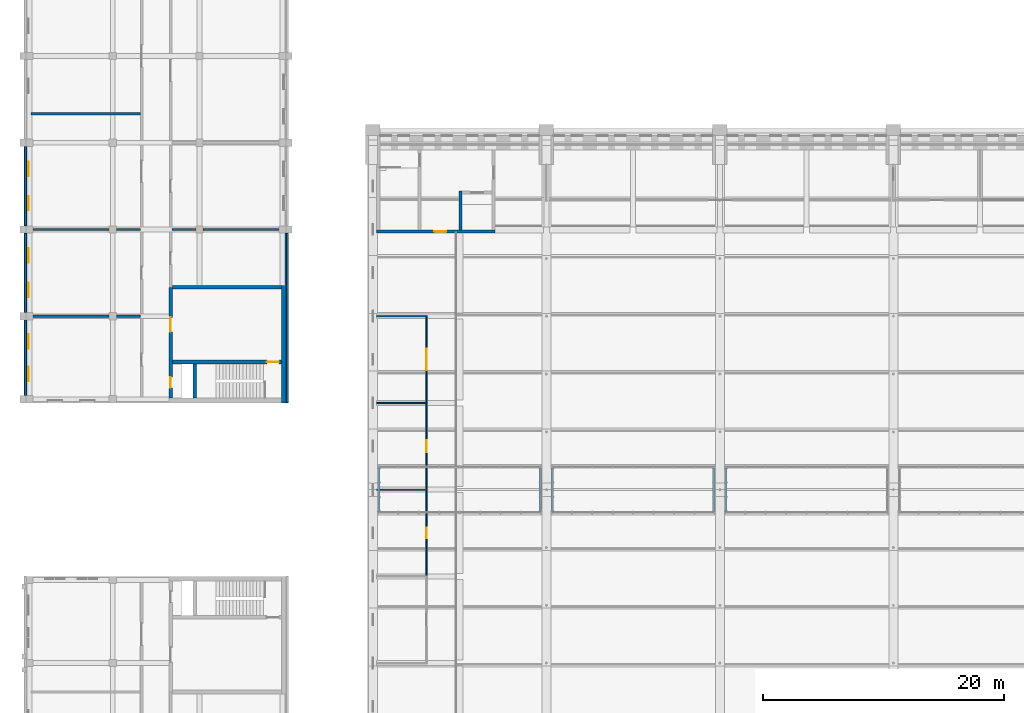
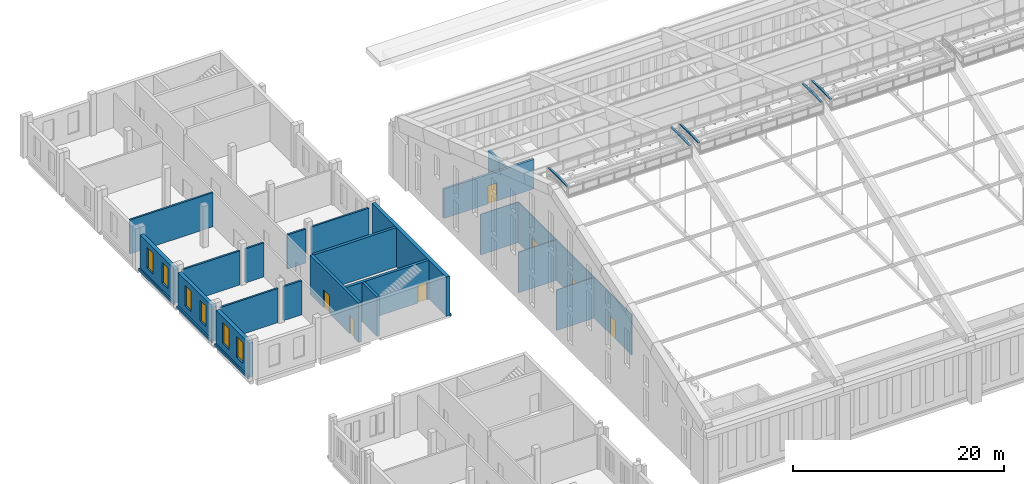
# One storey, part 129 of 149: 32 walls, 7 doors, 6 windows, 13 openings, 5 elements without a shape of their own.
"""IFC4 building model written with IfcOpenShell, lengths in metres."""

from ifc_helpers import new_model, si_unit, direction, frame, frame_2d, origin, place, context, subcontext, project, spatial, polyline, rectangle, outline, extrude, material, layer, layer_set, type_object, element, fill, aggregate, save


model = new_model("IFC4")

# Units and contexts
model_context = context("Model", 3, precision=1e-05, world=origin(), true_north=direction((0.0, 1.0)))
body_context = subcontext(model_context, "Body", "Model", "MODEL_VIEW")
ifc_project = project(units=[si_unit("LENGTHUNIT", "METRE"), si_unit("AREAUNIT", "SQUARE_METRE"), si_unit("VOLUMEUNIT", "CUBIC_METRE"), si_unit("PLANEANGLEUNIT", "RADIAN"), si_unit("MASSUNIT", "GRAM", prefix="KILO")], contexts=[model_context])

# Site, building, storey
site_placement = place(None, origin())
site = spatial("IfcSite", under=ifc_project, at=site_placement, CompositionType="ELEMENT")
building_placement = place(site_placement, origin())
building = spatial("IfcBuilding", under=site, at=building_placement, Name="Alderwick Market Hall", CompositionType="ELEMENT")
storey_placement = place(building_placement, frame((0.0, 0.0, 9.60009765625)))
storey = spatial("IfcBuildingStorey", under=building, at=storey_placement, Name="L01", CompositionType="ELEMENT", Elevation=9.60009765625)

# Wall, openings, windows
ifc_material_1 = material(Name="Face brick", Category="masonry")
ifc_layer_1 = layer(ifc_material_1, 0.39990234375)
ifc_layer_set_1 = layer_set([ifc_layer_1], Name="Face brick")
wall_type_1 = type_object("IfcWallType", Name="B Brick Cavity Wall 400", PredefinedType="SOLIDWALL", material=ifc_layer_set_1)
wall_1_placement = place(storey_placement, frame((21.800048828125, 87.0, 0.0), z_axis=(0.0, 0.0, 1.0), x_axis=(0.0, 1.0, 0.0)))
wall_1 = element("IfcWall", 1, at=wall_1_placement, inside=storey, type_object=wall_type_1, Name="B.N.wall.L01.019", PredefinedType="SOLIDWALL", context=body_context, shape_type="SweptSolid", body=[
    extrude(rectangle(XDim=6.300048828125, YDim=0.39990234375, at=frame_2d((3.14990234375, 0.0))), origin(), (0.0, 0.0, 1.0), 3.949951171875),
])
opening_1_placement = place(wall_1_placement, frame((1.199951171875, 0.0, 0.89990234375)))
opening_1 = element("IfcOpeningElement", 2, at=opening_1_placement, cuts=wall_1, Name="Opening B-W034", PredefinedType="OPENING", context=body_context, shape_type="SweptSolid", body=[
    extrude(rectangle(XDim=1.199951171875, YDim=2.39990234375, at=frame_2d((0.60009765625, 1.199951171875))), frame((0.0, 0.2099609375, 0.0), z_axis=(0.0, -1.0, 0.0), x_axis=(1.0, 0.0, 0.0)), (0.0, 0.0, 1.0), 0.419921875),
])
opening_2_placement = place(wall_1_placement, frame((3.89990234375, 0.0, 0.89990234375)))
opening_2 = element("IfcOpeningElement", 3, at=opening_2_placement, cuts=wall_1, Name="Opening B-W035", PredefinedType="OPENING", context=body_context, shape_type="SweptSolid", body=[
    extrude(rectangle(XDim=1.199951171875, YDim=2.39990234375, at=frame_2d((0.60009765625, 1.199951171875))), frame((0.0, 0.2099609375, 0.0), z_axis=(0.0, -1.0, 0.0), x_axis=(1.0, 0.0, 0.0)), (0.0, 0.0, 1.0), 0.419921875),
])
ifc_material_2 = material(Name="Aluminium frame", Category="aluminium")
window_type = type_object("IfcWindowType", Name="B Piano Nobile Window 1200x2400", PartitioningType="SINGLE_PANEL", PredefinedType="WINDOW", material=ifc_material_2)
window_1_placement = place(opening_1_placement, origin())
window_1 = element("IfcWindow", 4, at=window_1_placement, inside=storey, type_object=window_type, Name="Window B-W034", OverallHeight=2.39990234375, OverallWidth=1.199951171875, PartitioningType="SINGLE_PANEL", PredefinedType="WINDOW", context=body_context, shape_type="SweptSolid", body=[
    extrude(rectangle(XDim=1.199951171875, YDim=2.39990234375, at=frame_2d((0.60009765625, 1.199951171875))), frame((0.0, 0.030029296875, 0.0), z_axis=(0.0, -1.0, 0.0), x_axis=(1.0, 0.0, 0.0)), (0.0, 0.0, 1.0), 0.06005859375),
])
fill(opening_1, window_1)
window_2_placement = place(opening_2_placement, origin())
window_2 = element("IfcWindow", 5, at=window_2_placement, inside=storey, type_object=window_type, Name="Window B-W035", OverallHeight=2.39990234375, OverallWidth=1.199951171875, PartitioningType="SINGLE_PANEL", PredefinedType="WINDOW", context=body_context, shape_type="SweptSolid", body=[
    extrude(rectangle(XDim=1.199951171875, YDim=2.39990234375, at=frame_2d((0.60009765625, 1.199951171875))), frame((0.0, 0.030029296875, 0.0), z_axis=(0.0, -1.0, 0.0), x_axis=(1.0, 0.0, 0.0)), (0.0, 0.0, 1.0), 0.06005859375),
])
fill(opening_2, window_2)

wall_2_placement = place(storey_placement, frame((21.800048828125, 93.89990234375, 0.0), z_axis=(0.0, 0.0, 1.0), x_axis=(0.0, 1.0, 0.0)))
wall_2 = element("IfcWall", 6, at=wall_2_placement, inside=storey, type_object=wall_type_1, Name="B.N.wall.L01.020", PredefinedType="SOLIDWALL", context=body_context, shape_type="SweptSolid", body=[
    extrude(rectangle(XDim=6.60009765625, YDim=0.39990234375, at=frame_2d((3.300048828125, 0.0))), origin(), (0.0, 0.0, 1.0), 3.949951171875),
])
opening_3_placement = place(wall_2_placement, frame((1.27490234375, 0.0, 0.89990234375)))
opening_3 = element("IfcOpeningElement", 7, at=opening_3_placement, cuts=wall_2, Name="Opening B-W036", PredefinedType="OPENING", context=body_context, shape_type="SweptSolid", body=[
    extrude(rectangle(XDim=1.199951171875, YDim=2.39990234375, at=frame_2d((0.60009765625, 1.199951171875))), frame((0.0, 0.2099609375, 0.0), z_axis=(0.0, -1.0, 0.0), x_axis=(1.0, 0.0, 0.0)), (0.0, 0.0, 1.0), 0.419921875),
])
opening_4_placement = place(wall_2_placement, frame((4.125, 0.0, 0.89990234375)))
opening_4 = element("IfcOpeningElement", 8, at=opening_4_placement, cuts=wall_2, Name="Opening B-W037", PredefinedType="OPENING", context=body_context, shape_type="SweptSolid", body=[
    extrude(rectangle(XDim=1.199951171875, YDim=2.39990234375, at=frame_2d((0.60009765625, 1.199951171875))), frame((0.0, 0.2099609375, 0.0), z_axis=(0.0, -1.0, 0.0), x_axis=(1.0, 0.0, 0.0)), (0.0, 0.0, 1.0), 0.419921875),
])
window_3_placement = place(opening_3_placement, origin())
window_3 = element("IfcWindow", 9, at=window_3_placement, inside=storey, type_object=window_type, Name="Window B-W036", OverallHeight=2.39990234375, OverallWidth=1.199951171875, PartitioningType="SINGLE_PANEL", PredefinedType="WINDOW", context=body_context, shape_type="SweptSolid", body=[
    extrude(rectangle(XDim=1.199951171875, YDim=2.39990234375, at=frame_2d((0.60009765625, 1.199951171875))), frame((0.0, 0.030029296875, 0.0), z_axis=(0.0, -1.0, 0.0), x_axis=(1.0, 0.0, 0.0)), (0.0, 0.0, 1.0), 0.06005859375),
])
fill(opening_3, window_3)
window_4_placement = place(opening_4_placement, origin())
window_4 = element("IfcWindow", 10, at=window_4_placement, inside=storey, type_object=window_type, Name="Window B-W037", OverallHeight=2.39990234375, OverallWidth=1.199951171875, PartitioningType="SINGLE_PANEL", PredefinedType="WINDOW", context=body_context, shape_type="SweptSolid", body=[
    extrude(rectangle(XDim=1.199951171875, YDim=2.39990234375, at=frame_2d((0.60009765625, 1.199951171875))), frame((0.0, 0.030029296875, 0.0), z_axis=(0.0, -1.0, 0.0), x_axis=(1.0, 0.0, 0.0)), (0.0, 0.0, 1.0), 0.06005859375),
])
fill(opening_4, window_4)

wall_3_placement = place(storey_placement, frame((21.800048828125, 101.10009765625, 0.0), z_axis=(0.0, 0.0, 1.0), x_axis=(0.0, 1.0, 0.0)))
wall_3 = element("IfcWall", 11, at=wall_3_placement, inside=storey, type_object=wall_type_1, Name="B.N.wall.L01.021", PredefinedType="SOLIDWALL", context=body_context, shape_type="SweptSolid", body=[
    extrude(rectangle(XDim=6.599853515625, YDim=0.39990234375, at=frame_2d((3.2998046875, 0.0))), origin(), (0.0, 0.0, 1.0), 3.949951171875),
])
opening_5_placement = place(wall_3_placement, frame((1.27490234375, 0.0, 0.89990234375)))
opening_5 = element("IfcOpeningElement", 12, at=opening_5_placement, cuts=wall_3, Name="Opening B-W038", PredefinedType="OPENING", context=body_context, shape_type="SweptSolid", body=[
    extrude(rectangle(XDim=1.199951171875, YDim=2.39990234375, at=frame_2d((0.60009765625, 1.199951171875))), frame((0.0, 0.2099609375, 0.0), z_axis=(0.0, -1.0, 0.0), x_axis=(1.0, 0.0, 0.0)), (0.0, 0.0, 1.0), 0.419921875),
])
opening_6_placement = place(wall_3_placement, frame((4.125, 0.0, 0.89990234375)))
opening_6 = element("IfcOpeningElement", 13, at=opening_6_placement, cuts=wall_3, Name="Opening B-W039", PredefinedType="OPENING", context=body_context, shape_type="SweptSolid", body=[
    extrude(rectangle(XDim=1.199951171875, YDim=2.39990234375, at=frame_2d((0.60009765625, 1.199951171875))), frame((0.0, 0.2099609375, 0.0), z_axis=(0.0, -1.0, 0.0), x_axis=(1.0, 0.0, 0.0)), (0.0, 0.0, 1.0), 0.419921875),
])
window_5_placement = place(opening_5_placement, origin())
window_5 = element("IfcWindow", 14, at=window_5_placement, inside=storey, type_object=window_type, Name="Window B-W038", OverallHeight=2.39990234375, OverallWidth=1.199951171875, PartitioningType="SINGLE_PANEL", PredefinedType="WINDOW", context=body_context, shape_type="SweptSolid", body=[
    extrude(rectangle(XDim=1.199951171875, YDim=2.39990234375, at=frame_2d((0.60009765625, 1.199951171875))), frame((0.0, 0.030029296875, 0.0), z_axis=(0.0, -1.0, 0.0), x_axis=(1.0, 0.0, 0.0)), (0.0, 0.0, 1.0), 0.06005859375),
])
fill(opening_5, window_5)
window_6_placement = place(opening_6_placement, origin())
window_6 = element("IfcWindow", 15, at=window_6_placement, inside=storey, type_object=window_type, Name="Window B-W039", OverallHeight=2.39990234375, OverallWidth=1.199951171875, PartitioningType="SINGLE_PANEL", PredefinedType="WINDOW", context=body_context, shape_type="SweptSolid", body=[
    extrude(rectangle(XDim=1.199951171875, YDim=2.39990234375, at=frame_2d((0.60009765625, 1.199951171875))), frame((0.0, 0.030029296875, 0.0), z_axis=(0.0, -1.0, 0.0), x_axis=(1.0, 0.0, 0.0)), (0.0, 0.0, 1.0), 0.06005859375),
])
fill(opening_6, window_6)

# Walls
ifc_material_3 = material(Name="Cast stone 5000 psi", Category="masonry")
ifc_layer_2 = layer(ifc_material_3, 0.14990234375)
ifc_layer_set_2 = layer_set([ifc_layer_2], Name="Cast stone 5000 psi")
wall_type_2 = type_object("IfcWallType", Name="B Cast Stone String Course 150", PredefinedType="SOLIDWALL", material=ifc_layer_set_2)
wall_4_placement = place(storey_placement, frame((21.52490234375, 87.0, -0.150146484375), z_axis=(0.0, 0.0, 1.0), x_axis=(0.0, 1.0, 0.0)))
element("IfcWall", 16, at=wall_4_placement, inside=storey, type_object=wall_type_2, Name="B.N.string.W.01", PredefinedType="SOLIDWALL", context=body_context, shape_type="SweptSolid", body=[
    extrude(rectangle(XDim=6.300048828125, YDim=0.14990234375, at=frame_2d((3.14990234375, 0.0))), origin(), (0.0, 0.0, 1.0), 0.300048828125),
])
wall_5_placement = place(storey_placement, frame((21.52490234375, 93.89990234375, -0.150146484375), z_axis=(0.0, 0.0, 1.0), x_axis=(0.0, 1.0, 0.0)))
element("IfcWall", 17, at=wall_5_placement, inside=storey, type_object=wall_type_2, Name="B.N.string.W.02", PredefinedType="SOLIDWALL", context=body_context, shape_type="SweptSolid", body=[
    extrude(rectangle(XDim=6.60009765625, YDim=0.14990234375, at=frame_2d((3.300048828125, 0.0))), origin(), (0.0, 0.0, 1.0), 0.300048828125),
])
wall_6_placement = place(storey_placement, frame((21.52490234375, 101.10009765625, -0.150146484375), z_axis=(0.0, 0.0, 1.0), x_axis=(0.0, 1.0, 0.0)))
element("IfcWall", 18, at=wall_6_placement, inside=storey, type_object=wall_type_2, Name="B.N.string.W.03", PredefinedType="SOLIDWALL", context=body_context, shape_type="SweptSolid", body=[
    extrude(rectangle(XDim=6.599853515625, YDim=0.14990234375, at=frame_2d((3.2998046875, 0.0))), origin(), (0.0, 0.0, 1.0), 0.300048828125),
])
wall_7_placement = place(storey_placement, frame((43.27490234375, 86.39990234375, -0.150146484375), z_axis=(0.0, 0.0, 1.0), x_axis=(0.0, 1.0, 0.0)))
element("IfcWall", 19, at=wall_7_placement, inside=storey, type_object=wall_type_2, Name="B.N.string.E.00", PredefinedType="SOLIDWALL", context=body_context, shape_type="SweptSolid", body=[
    extrude(rectangle(XDim=14.10009765625, YDim=0.14990234375, at=frame_2d((7.050048828125, 0.0))), origin(), (0.0, 0.0, 1.0), 0.300048828125),
])
ifc_material_4 = material(Name="Concrete masonry 3000 psi", Category="masonry")
ifc_layer_3 = layer(ifc_material_4, 0.199951171875)
ifc_layer_set_3 = layer_set([ifc_layer_3], Name="Concrete masonry 3000 psi")
wall_type_3 = type_object("IfcWallType", Name="B Masonry Partition 200", PredefinedType="PARTITIONING", material=ifc_layer_set_3)
wall_8_placement = place(storey_placement, frame((22.199951171875, 93.60009765625, 0.0), z_axis=(0.0, 0.0, 1.0), x_axis=(1.0, 0.0, 0.0)))
element("IfcWall", 20, at=wall_8_placement, inside=storey, type_object=wall_type_3, Name="B.N.wall.L01.003", PredefinedType="PARTITIONING", context=body_context, shape_type="SweptSolid", body=[
    extrude(rectangle(XDim=6.300048828125, YDim=0.199951171875, at=frame_2d((3.14990234375, 0.0))), origin(), (0.0, 0.0, 1.0), 3.949951171875),
])
wall_9_placement = place(storey_placement, frame((29.10009765625, 93.60009765625, 0.0), z_axis=(0.0, 0.0, 1.0), x_axis=(1.0, 0.0, 0.0)))
element("IfcWall", 21, at=wall_9_placement, inside=storey, type_object=wall_type_3, Name="B.N.wall.L01.004", PredefinedType="PARTITIONING", context=body_context, shape_type="SweptSolid", body=[
    extrude(rectangle(XDim=2.0, YDim=0.199951171875, at=frame_2d((1.0, 0.0))), origin(), (0.0, 0.0, 1.0), 3.949951171875),
])
wall_10_placement = place(storey_placement, frame((22.199951171875, 100.800048828125, 0.0), z_axis=(0.0, 0.0, 1.0), x_axis=(1.0, 0.0, 0.0)))
element("IfcWall", 22, at=wall_10_placement, inside=storey, type_object=wall_type_3, Name="B.N.wall.L01.006", PredefinedType="PARTITIONING", context=body_context, shape_type="SweptSolid", body=[
    extrude(rectangle(XDim=6.300048828125, YDim=0.199951171875, at=frame_2d((3.14990234375, 0.0))), origin(), (0.0, 0.0, 1.0), 3.949951171875),
])
for number, where, z_axis, x_axis, name in (
    (23, (29.10009765625, 100.800048828125, 0.0), (0.0, 0.0, 1.0), (1.0, 0.0, 0.0), "B.N.wall.L01.007"),
    (24, (33.699951171875, 100.800048828125, 0.0), (0.0, 0.0, 1.0), (1.0, 0.0, 0.0), "B.N.wall.L01.008"),
):
    element("IfcWall", number, at=place(storey_placement, frame(where, z_axis=z_axis, x_axis=x_axis)), inside=storey, type_object=wall_type_3, Name=name, PredefinedType="PARTITIONING", context=body_context, shape_type="SweptSolid", body=[
        extrude(rectangle(XDim=2.0, YDim=0.199951171875, at=frame_2d((1.0, 0.0))), origin(), (0.0, 0.0, 1.0), 3.949951171875),
    ])
wall_11_placement = place(storey_placement, frame((36.300048828125, 100.800048828125, 0.0), z_axis=(0.0, 0.0, 1.0), x_axis=(1.0, 0.0, 0.0)))
element("IfcWall", 25, at=wall_11_placement, inside=storey, type_object=wall_type_3, Name="B.N.wall.L01.009", PredefinedType="PARTITIONING", context=body_context, shape_type="SweptSolid", body=[
    extrude(rectangle(XDim=6.300048828125, YDim=0.199951171875, at=frame_2d((3.14990234375, 0.0))), origin(), (0.0, 0.0, 1.0), 3.949951171875),
])
wall_12_placement = place(storey_placement, frame((22.0, 110.39990234375, 0.0), z_axis=(0.0, 0.0, 1.0), x_axis=(1.0, 0.0, 0.0)))
element("IfcWall", 26, at=wall_12_placement, inside=storey, type_object=wall_type_3, Name="B.N.wall.L01.012", PredefinedType="PARTITIONING", context=body_context, shape_type="SweptSolid", body=[
    extrude(rectangle(XDim=9.10009765625, YDim=0.199951171875, at=frame_2d((4.550048828125, 0.0))), origin(), (0.0, 0.0, 1.0), 3.949951171875),
])
ifc_material_5 = material(Name="Concrete 5000 psi (f'c 35 MPa)", Category="concrete")
ifc_layer_4 = layer(ifc_material_5, 0.39990234375)
ifc_layer_set_4 = layer_set([ifc_layer_4], Name="Concrete 5000 psi (f'c 35 MPa)")
wall_type_4 = type_object("IfcWallType", Name="B RC Core Facade Wall 400", PredefinedType="SHEAR", material=ifc_layer_set_4)
wall_13_placement = place(storey_placement, frame((43.0, 86.39990234375, 0.0), z_axis=(0.0, 0.0, 1.0), x_axis=(0.0, 1.0, 0.0)))
element("IfcWall", 27, at=wall_13_placement, inside=storey, type_object=wall_type_4, Name="B.N.wall.L01.032", PredefinedType="SHEAR", context=body_context, shape_type="SweptSolid", body=[
    extrude(rectangle(XDim=14.10009765625, YDim=0.39990234375, at=frame_2d((7.050048828125, 0.0))), origin(), (0.0, 0.0, 1.0), 4.5498046875),
])

# Wall, opening, door
ifc_layer_5 = layer(ifc_material_5, 0.300048828125)
ifc_layer_set_5 = layer_set([ifc_layer_5], Name="Concrete 5000 psi (f'c 35 MPa)")
wall_type_5 = type_object("IfcWallType", Name="B RC Core Wall 300", PredefinedType="SHEAR", material=ifc_layer_set_5)
wall_14_placement = place(storey_placement, frame((33.75, 89.800048828125, 0.0), z_axis=(0.0, 0.0, 1.0), x_axis=(1.0, 0.0, 0.0)))
wall_14 = element("IfcWall", 28, at=wall_14_placement, inside=storey, type_object=wall_type_5, Name="B.N.wall.L01.002", PredefinedType="SHEAR", context=body_context, shape_type="SweptSolid", body=[
    extrude(rectangle(XDim=9.050048828125, YDim=0.300048828125, at=frame_2d((4.52490234375, 0.0))), origin(), (0.0, 0.0, 1.0), 4.5498046875),
])
opening_7_placement = place(wall_14_placement, frame((7.85009765625, 0.0, 0.0)))
opening_7 = element("IfcOpeningElement", 29, at=opening_7_placement, cuts=wall_14, Name="Opening B-D062", PredefinedType="OPENING", context=body_context, shape_type="SweptSolid", body=[
    extrude(rectangle(XDim=1.0, YDim=2.10009765625, at=frame_2d((0.5, 1.050048828125))), frame((0.0, 0.159912109375, 0.0), z_axis=(0.0, -1.0, 0.0), x_axis=(1.0, 0.0, 0.0)), (0.0, 0.0, 1.0), 0.320068359375),
])
ifc_material_6 = material(Name="Hollow metal fire door and frame")
door_type_1 = type_object("IfcDoorType", Name="B Fire Door 1000x2100", OperationType="SINGLE_SWING_LEFT", PredefinedType="DOOR", material=ifc_material_6)
door_1_placement = place(opening_7_placement, origin())
door_1 = element("IfcDoor", 30, at=door_1_placement, inside=storey, type_object=door_type_1, Name="Stair N-2 lobby door", OperationType="SINGLE_SWING_RIGHT", OverallHeight=2.10009765625, OverallWidth=1.0, PredefinedType="DOOR", context=body_context, shape_type="SweptSolid", body=[
    extrude(rectangle(XDim=1.0, YDim=2.10009765625, at=frame_2d((0.5, 1.050048828125))), frame((0.0, 0.02490234375, 0.0), z_axis=(0.0, -1.0, 0.0), x_axis=(1.0, 0.0, 0.0)), (0.0, 0.0, 1.0), 0.050048828125),
])
fill(opening_7, door_1)

# Wall
wall_15_placement = place(storey_placement, frame((33.75, 96.0, 0.0), z_axis=(0.0, 0.0, 1.0), x_axis=(1.0, 0.0, 0.0)))
element("IfcWall", 31, at=wall_15_placement, inside=storey, type_object=wall_type_5, Name="B.N.wall.L01.005", PredefinedType="SHEAR", context=body_context, shape_type="SweptSolid", body=[
    extrude(rectangle(XDim=9.050048828125, YDim=0.300048828125, at=frame_2d((4.52490234375, 0.0))), origin(), (0.0, 0.0, 1.0), 4.5498046875),
])

# Wall, openings, doors
wall_16_placement = place(storey_placement, frame((33.60009765625, 86.800048828125, 0.0), z_axis=(0.0, 0.0, 1.0), x_axis=(0.0, 1.0, 0.0)))
wall_16 = element("IfcWall", 32, at=wall_16_placement, inside=storey, type_object=wall_type_5, Name="B.N.wall.L01.026", PredefinedType="SHEAR", context=body_context, shape_type="SweptSolid", body=[
    extrude(rectangle(XDim=9.199951171875, YDim=0.300048828125, at=frame_2d((4.60009765625, 0.0))), origin(), (0.0, 0.0, 1.0), 4.5498046875),
])
opening_8_placement = place(wall_16_placement, frame((5.5, 0.0, 0.0)))
opening_8 = element("IfcOpeningElement", 33, at=opening_8_placement, cuts=wall_16, Name="Opening B-D063", PredefinedType="OPENING", context=body_context, shape_type="SweptSolid", body=[
    extrude(rectangle(XDim=1.199951171875, YDim=2.10009765625, at=frame_2d((0.60009765625, 1.050048828125))), frame((0.0, 0.159912109375, 0.0), z_axis=(0.0, -1.0, 0.0), x_axis=(1.0, 0.0, 0.0)), (0.0, 0.0, 1.0), 0.320068359375),
])
opening_9_placement = place(wall_16_placement, frame((0.85009765625, 0.0, 0.0)))
opening_9 = element("IfcOpeningElement", 34, at=opening_9_placement, cuts=wall_16, Name="Opening B-D064", PredefinedType="OPENING", context=body_context, shape_type="SweptSolid", body=[
    extrude(rectangle(XDim=0.89990234375, YDim=2.10009765625, at=frame_2d((0.449951171875, 1.050048828125))), frame((0.0, 0.159912109375, 0.0), z_axis=(0.0, -1.0, 0.0), x_axis=(1.0, 0.0, 0.0)), (0.0, 0.0, 1.0), 0.320068359375),
])
door_type_2 = type_object("IfcDoorType", Name="B Fire Door 1200x2100", OperationType="SINGLE_SWING_LEFT", PredefinedType="DOOR", material=ifc_material_6)
door_2_placement = place(opening_8_placement, origin())
door_2 = element("IfcDoor", 35, at=door_2_placement, inside=storey, type_object=door_type_2, Name="Lobby N-2 corridor door", OperationType="SINGLE_SWING_LEFT", OverallHeight=2.10009765625, OverallWidth=1.199951171875, PredefinedType="DOOR", context=body_context, shape_type="SweptSolid", body=[
    extrude(rectangle(XDim=1.199951171875, YDim=2.10009765625, at=frame_2d((0.60009765625, 1.050048828125))), frame((0.0, 0.02490234375, 0.0), z_axis=(0.0, -1.0, 0.0), x_axis=(1.0, 0.0, 0.0)), (0.0, 0.0, 1.0), 0.050048828125),
])
fill(opening_8, door_2)
door_type_3 = type_object("IfcDoorType", Name="B Fire Door 900x2100", OperationType="SINGLE_SWING_LEFT", PredefinedType="DOOR", material=ifc_material_6)
door_3_placement = place(opening_9_placement, origin())
door_3 = element("IfcDoor", 36, at=door_3_placement, inside=storey, type_object=door_type_3, Name="Riser N-2 access door", OperationType="SINGLE_SWING_RIGHT", OverallHeight=2.10009765625, OverallWidth=0.89990234375, PredefinedType="DOOR", context=body_context, shape_type="SweptSolid", body=[
    extrude(rectangle(XDim=0.89990234375, YDim=2.10009765625, at=frame_2d((0.449951171875, 1.050048828125))), frame((0.0, 0.02490234375, 0.0), z_axis=(0.0, -1.0, 0.0), x_axis=(1.0, 0.0, 0.0)), (0.0, 0.0, 1.0), 0.050048828125),
])
fill(opening_9, door_3)

# Wall
wall_17_placement = place(storey_placement, frame((35.60009765625, 86.800048828125, 0.0), z_axis=(0.0, 0.0, 1.0), x_axis=(0.0, 1.0, 0.0)))
element("IfcWall", 37, at=wall_17_placement, inside=storey, type_object=wall_type_5, Name="B.N.wall.L01.029", PredefinedType="SHEAR", context=body_context, shape_type="SweptSolid", body=[
    extrude(rectangle(XDim=2.849853515625, YDim=0.300048828125, at=frame_2d((1.4248046875, 0.0))), origin(), (0.0, 0.0, 1.0), 4.5498046875),
])

# Wall, opening, door
ifc_layer_6 = layer(ifc_material_5, 0.25)
ifc_layer_set_6 = layer_set([ifc_layer_6], Name="Concrete 5000 psi (f'c 35 MPa)")
wall_type_6 = type_object("IfcWallType", Name="H Core wall 250", PredefinedType="SOLIDWALL", material=ifc_layer_set_6)
wall_18_placement = place(storey_placement, frame((50.699951171875, 100.635009765625, 0.0), z_axis=(0.0, 0.0, 1.0), x_axis=(1.0, 0.0, 0.0)))
wall_18 = element("IfcWall", 38, at=wall_18_placement, inside=storey, type_object=wall_type_6, Name="Core wall H-NW", PredefinedType="SOLIDWALL", context=body_context, shape_type="SweptSolid", body=[
    extrude(rectangle(XDim=9.85009765625, YDim=0.25, at=frame_2d((4.925048828125, 0.0))), origin(), (0.0, 0.0, 1.0), 3.39990234375),
])
opening_10_placement = place(wall_18_placement, frame((4.800048828125, 0.0, 0.0)))
opening_10 = element("IfcOpeningElement", 39, at=opening_10_placement, cuts=wall_18, Name="Opening H-D036", PredefinedType="OPENING", context=body_context, shape_type="SweptSolid", body=[
    extrude(rectangle(XDim=1.0, YDim=2.10009765625, at=frame_2d((0.5, 1.050048828125))), frame((0.0, 0.135009765625, 0.0), z_axis=(0.0, -1.0, 0.0), x_axis=(1.0, 0.0, 0.0)), (0.0, 0.0, 1.0), 0.27001953125),
])
ifc_material_7 = material(Name="Steel, fire-rated", Category="steel")
door_type_4 = type_object("IfcDoorType", Name="H Stair door FD90 1000x2100", OperationType="SINGLE_SWING_LEFT", PredefinedType="DOOR", material=ifc_material_7)
door_4_placement = place(opening_10_placement, origin())
door_4 = element("IfcDoor", 40, at=door_4_placement, inside=storey, type_object=door_type_4, Name="Door H-D036", OperationType="SINGLE_SWING_LEFT", OverallHeight=2.10009765625, OverallWidth=1.0, PredefinedType="DOOR", context=body_context, shape_type="SweptSolid", body=[
    extrude(rectangle(XDim=1.0, YDim=2.10009765625, at=frame_2d((0.5, 1.050048828125))), frame((0.0, 0.02490234375, 0.0), z_axis=(0.0, -1.0, 0.0), x_axis=(1.0, 0.0, 0.0)), (0.0, 0.0, 1.0), 0.050048828125),
])
fill(opening_10, door_4)

# Walls
wall_19_placement = place(storey_placement, frame((57.675048828125, 100.760009765625, 0.0), z_axis=(0.0, 0.0, 1.0), x_axis=(0.0, 1.0, 0.0)))
element("IfcWall", 41, at=wall_19_placement, inside=storey, type_object=wall_type_6, Name="Core wall H-NW", PredefinedType="SOLIDWALL", context=body_context, shape_type="SweptSolid", body=[
    extrude(rectangle(XDim=3.25, YDim=0.25, at=frame_2d((1.625, 0.0))), origin(), (0.0, 0.0, 1.0), 3.39990234375),
])
ifc_material_8 = material(Name="Gypsum board partition")
ifc_layer_7 = layer(ifc_material_8, 0.10009765625)
ifc_layer_set_7 = layer_set([ifc_layer_7], Name="Gypsum board partition")
wall_type_7 = type_object("IfcWallType", Name="H Partition 100", PredefinedType="PARTITIONING", material=ifc_layer_set_7)
for number, where, z_axis, x_axis, name in (
    (42, (50.699951171875, 79.199951171875, 0.0), (0.0, 0.0, 1.0), (1.0, 0.0, 0.0), "Partition"),
    (43, (50.699951171875, 86.39990234375, 0.0), (0.0, 0.0, 1.0), (1.0, 0.0, 0.0), "Partition"),
    (44, (50.699951171875, 93.60009765625, 0.0), (0.0, 0.0, 1.0), (1.0, 0.0, 0.0), "Partition"),
):
    element("IfcWall", number, at=place(storey_placement, frame(where, z_axis=z_axis, x_axis=x_axis)), inside=storey, type_object=wall_type_7, Name=name, PredefinedType="PARTITIONING", context=body_context, shape_type="SweptSolid", body=[
        extrude(rectangle(XDim=4.199951171875, YDim=0.10009765625, at=frame_2d((2.10009765625, 0.0))), origin(), (0.0, 0.0, 1.0), 4.699951171875),
    ])

# Wall, opening, door
wall_20_placement = place(storey_placement, frame((54.85009765625, 72.050048828125, 0.0), z_axis=(0.0, 0.0, 1.0), x_axis=(0.0, 1.0, 0.0)))
wall_20 = element("IfcWall", 45, at=wall_20_placement, inside=storey, type_object=wall_type_7, Name="Partition", PredefinedType="PARTITIONING", context=body_context, shape_type="SweptSolid", body=[
    extrude(rectangle(XDim=7.099853515625, YDim=0.10009765625, at=frame_2d((3.5498046875, 0.0))), origin(), (0.0, 0.0, 1.0), 4.699951171875),
])
opening_11_placement = place(wall_20_placement, frame((3.10009765625, 0.0, 0.0)))
opening_11 = element("IfcOpeningElement", 46, at=opening_11_placement, cuts=wall_20, Name="Opening H-D095", PredefinedType="OPENING", context=body_context, shape_type="SweptSolid", body=[
    extrude(rectangle(XDim=0.89990234375, YDim=2.10009765625, at=frame_2d((0.449951171875, 1.050048828125))), frame((0.0, 0.06005859375, 0.0), z_axis=(0.0, -1.0, 0.0), x_axis=(1.0, 0.0, 0.0)), (0.0, 0.0, 1.0), 0.1201171875),
])
ifc_material_9 = material(Name="Timber, solid core", Category="wood")
door_type_5 = type_object("IfcDoorType", Name="H WC door 900x2100", OperationType="SINGLE_SWING_LEFT", PredefinedType="DOOR", material=ifc_material_9)
door_5_placement = place(opening_11_placement, origin())
door_5 = element("IfcDoor", 47, at=door_5_placement, inside=storey, type_object=door_type_5, Name="Door H-D095", OperationType="SINGLE_SWING_LEFT", OverallHeight=2.10009765625, OverallWidth=0.89990234375, PredefinedType="DOOR", context=body_context, shape_type="SweptSolid", body=[
    extrude(rectangle(XDim=0.89990234375, YDim=2.10009765625, at=frame_2d((0.449951171875, 1.050048828125))), frame((0.0, 0.02490234375, 0.0), z_axis=(0.0, -1.0, 0.0), x_axis=(1.0, 0.0, 0.0)), (0.0, 0.0, 1.0), 0.050048828125),
])
fill(opening_11, door_5)

wall_21_placement = place(storey_placement, frame((54.85009765625, 79.25, 0.0), z_axis=(0.0, 0.0, 1.0), x_axis=(0.0, 1.0, 0.0)))
wall_21 = element("IfcWall", 48, at=wall_21_placement, inside=storey, type_object=wall_type_7, Name="Partition", PredefinedType="PARTITIONING", context=body_context, shape_type="SweptSolid", body=[
    extrude(rectangle(XDim=7.10009765625, YDim=0.10009765625, at=frame_2d((3.550048828125, 0.0))), origin(), (0.0, 0.0, 1.0), 4.699951171875),
])
opening_12_placement = place(wall_21_placement, frame((3.050048828125, 0.0, 0.0)))
opening_12 = element("IfcOpeningElement", 49, at=opening_12_placement, cuts=wall_21, Name="Opening H-D096", PredefinedType="OPENING", context=body_context, shape_type="SweptSolid", body=[
    extrude(rectangle(XDim=1.0, YDim=2.10009765625, at=frame_2d((0.5, 1.050048828125))), frame((0.0, 0.06005859375, 0.0), z_axis=(0.0, -1.0, 0.0), x_axis=(1.0, 0.0, 0.0)), (0.0, 0.0, 1.0), 0.1201171875),
])
door_type_6 = type_object("IfcDoorType", Name="H Accessible WC door 1000x2100", OperationType="SINGLE_SWING_LEFT", PredefinedType="DOOR", material=ifc_material_9)
door_6_placement = place(opening_12_placement, origin())
door_6 = element("IfcDoor", 50, at=door_6_placement, inside=storey, type_object=door_type_6, Name="Door H-D096", OperationType="SINGLE_SWING_LEFT", OverallHeight=2.10009765625, OverallWidth=1.0, PredefinedType="DOOR", context=body_context, shape_type="SweptSolid", body=[
    extrude(rectangle(XDim=1.0, YDim=2.10009765625, at=frame_2d((0.5, 1.050048828125))), frame((0.0, 0.02490234375, 0.0), z_axis=(0.0, -1.0, 0.0), x_axis=(1.0, 0.0, 0.0)), (0.0, 0.0, 1.0), 0.050048828125),
])
fill(opening_12, door_6)

wall_22_placement = place(storey_placement, frame((54.85009765625, 86.449951171875, 0.0), z_axis=(0.0, 0.0, 1.0), x_axis=(0.0, 1.0, 0.0)))
wall_22 = element("IfcWall", 51, at=wall_22_placement, inside=storey, type_object=wall_type_7, Name="Partition", PredefinedType="PARTITIONING", context=body_context, shape_type="SweptSolid", body=[
    extrude(rectangle(XDim=7.10009765625, YDim=0.10009765625, at=frame_2d((3.550048828125, 0.0))), origin(), (0.0, 0.0, 1.0), 4.699951171875),
])
opening_13_placement = place(wall_22_placement, frame((2.64990234375, 0.0, 0.0)))
opening_13 = element("IfcOpeningElement", 52, at=opening_13_placement, cuts=wall_22, Name="Opening H-D097", PredefinedType="OPENING", context=body_context, shape_type="SweptSolid", body=[
    extrude(rectangle(XDim=1.800048828125, YDim=2.10009765625, at=frame_2d((0.89990234375, 1.050048828125))), frame((0.0, 0.06005859375, 0.0), z_axis=(0.0, -1.0, 0.0), x_axis=(1.0, 0.0, 0.0)), (0.0, 0.0, 1.0), 0.1201171875),
])
ifc_material_10 = material(Name="Timber and glass", Category="wood")
door_type_7 = type_object("IfcDoorType", Name="H Double door 1800x2100", OperationType="DOUBLE_DOOR_SINGLE_SWING", PredefinedType="DOOR", material=ifc_material_10)
door_7_placement = place(opening_13_placement, origin())
door_7 = element("IfcDoor", 53, at=door_7_placement, inside=storey, type_object=door_type_7, Name="Door H-D097", OperationType="DOUBLE_DOOR_SINGLE_SWING", OverallHeight=2.10009765625, OverallWidth=1.800048828125, PredefinedType="DOOR", context=body_context, shape_type="SweptSolid", body=[
    extrude(rectangle(XDim=1.800048828125, YDim=2.10009765625, at=frame_2d((0.89990234375, 1.050048828125))), frame((0.0, 0.02490234375, 0.0), z_axis=(0.0, -1.0, 0.0), x_axis=(1.0, 0.0, 0.0)), (0.0, 0.0, 1.0), 0.050048828125),
])
fill(opening_13, door_7)

# Curtain wall, wall
ifc_material_11 = material(Name="Aluminium", Category="aluminium")
curtain_wall_type = type_object("IfcCurtainWallType", Name="R Curtain Wall Frame", PredefinedType="NOTDEFINED", material=ifc_material_11)
curtain_wall_1_placement = place(storey_placement, origin())
curtain_wall_1 = element("IfcCurtainWall", 54, at=curtain_wall_1_placement, inside=storey, type_object=curtain_wall_type, Name="Curtain wall LCW W1", PredefinedType="NOTDEFINED")
ifc_layer_8 = layer(ifc_material_11, 0.199951171875)
ifc_layer_set_8 = layer_set([ifc_layer_8], Name="Aluminium")
wall_type_8 = type_object("IfcWallType", Name="R Lantern Gable Infill 200", PredefinedType="SOLIDWALL", material=ifc_layer_set_8)
wall_23_placement = place(storey_placement, frame((50.89990234375, 77.39990234375, 17.639892578125), z_axis=(0.0, 0.0, 1.0), x_axis=(0.0, 1.0, 0.0)))
wall_23 = element("IfcWall", 55, at=wall_23_placement, type_object=wall_type_8, Name="Lantern gable infill W1", PredefinedType="SOLIDWALL", context=body_context, shape_type="SweptSolid", body=[
    extrude(outline(polyline([(0.0, 0.0), (3.60009765625, 0.0), (3.60009765625, 0.06005859375), (1.800048828125, 0.197998046875), (0.0, 0.06005859375), (0.0, 0.0)])), frame((0.0, 0.10009765625, 0.0), z_axis=(0.0, -1.0, 0.0), x_axis=(1.0, 0.0, 0.0)), (0.0, 0.0, 1.0), 0.199951171875),
])
aggregate(curtain_wall_1, [wall_23])

curtain_wall_2_placement = place(storey_placement, origin())
curtain_wall_2 = element("IfcCurtainWall", 56, at=curtain_wall_2_placement, inside=storey, type_object=curtain_wall_type, Name="Curtain wall LCW E1", PredefinedType="NOTDEFINED")
wall_24_placement = place(storey_placement, frame((64.300048828125, 77.39990234375, 17.639892578125), z_axis=(0.0, 0.0, 1.0), x_axis=(0.0, 1.0, 0.0)))
wall_24 = element("IfcWall", 57, at=wall_24_placement, type_object=wall_type_8, Name="Lantern gable infill E1", PredefinedType="SOLIDWALL", context=body_context, shape_type="SweptSolid", body=[
    extrude(outline(polyline([(0.0, 0.0), (3.60009765625, 0.0), (3.60009765625, 0.06005859375), (1.800048828125, 0.197998046875), (0.0, 0.06005859375), (0.0, 0.0)])), frame((0.0, 0.10009765625, 0.0), z_axis=(0.0, -1.0, 0.0), x_axis=(1.0, 0.0, 0.0)), (0.0, 0.0, 1.0), 0.199951171875),
])
aggregate(curtain_wall_2, [wall_24])

curtain_wall_3_placement = place(storey_placement, origin())
curtain_wall_3 = element("IfcCurtainWall", 58, at=curtain_wall_3_placement, inside=storey, type_object=curtain_wall_type, Name="Curtain wall LCW W2", PredefinedType="NOTDEFINED")
wall_25_placement = place(storey_placement, frame((65.300048828125, 77.39990234375, 17.639892578125), z_axis=(0.0, 0.0, 1.0), x_axis=(0.0, 1.0, 0.0)))
wall_25 = element("IfcWall", 59, at=wall_25_placement, type_object=wall_type_8, Name="Lantern gable infill W2", PredefinedType="SOLIDWALL", context=body_context, shape_type="SweptSolid", body=[
    extrude(outline(polyline([(0.0, 0.0), (3.60009765625, 0.0), (3.60009765625, 0.06005859375), (1.800048828125, 0.197998046875), (0.0, 0.06005859375), (0.0, 0.0)])), frame((0.0, 0.10009765625, 0.0), z_axis=(0.0, -1.0, 0.0), x_axis=(1.0, 0.0, 0.0)), (0.0, 0.0, 1.0), 0.199951171875),
])
aggregate(curtain_wall_3, [wall_25])

curtain_wall_4_placement = place(storey_placement, origin())
curtain_wall_4 = element("IfcCurtainWall", 60, at=curtain_wall_4_placement, inside=storey, type_object=curtain_wall_type, Name="Curtain wall LCW E2", PredefinedType="NOTDEFINED")
wall_26_placement = place(storey_placement, frame((78.699951171875, 77.39990234375, 17.639892578125), z_axis=(0.0, 0.0, 1.0), x_axis=(0.0, 1.0, 0.0)))
wall_26 = element("IfcWall", 61, at=wall_26_placement, type_object=wall_type_8, Name="Lantern gable infill E2", PredefinedType="SOLIDWALL", context=body_context, shape_type="SweptSolid", body=[
    extrude(outline(polyline([(0.0, 0.0), (3.60009765625, 0.0), (3.60009765625, 0.06005859375), (1.800048828125, 0.197998046875), (0.0, 0.06005859375), (0.0, 0.0)])), frame((0.0, 0.10009765625, 0.0), z_axis=(0.0, -1.0, 0.0), x_axis=(1.0, 0.0, 0.0)), (0.0, 0.0, 1.0), 0.199951171875),
])
aggregate(curtain_wall_4, [wall_26])

curtain_wall_5_placement = place(storey_placement, origin())
curtain_wall_5 = element("IfcCurtainWall", 62, at=curtain_wall_5_placement, inside=storey, type_object=curtain_wall_type, Name="Curtain wall LCW W3", PredefinedType="NOTDEFINED")
wall_27_placement = place(storey_placement, frame((79.699951171875, 77.39990234375, 17.639892578125), z_axis=(0.0, 0.0, 1.0), x_axis=(0.0, 1.0, 0.0)))
wall_27 = element("IfcWall", 63, at=wall_27_placement, type_object=wall_type_8, Name="Lantern gable infill W3", PredefinedType="SOLIDWALL", context=body_context, shape_type="SweptSolid", body=[
    extrude(outline(polyline([(0.0, 0.0), (3.60009765625, 0.0), (3.60009765625, 0.06005859375), (1.800048828125, 0.197998046875), (0.0, 0.06005859375), (0.0, 0.0)])), frame((0.0, 0.10009765625, 0.0), z_axis=(0.0, -1.0, 0.0), x_axis=(1.0, 0.0, 0.0)), (0.0, 0.0, 1.0), 0.199951171875),
])
aggregate(curtain_wall_5, [wall_27])

save(model, "model.ifc")
